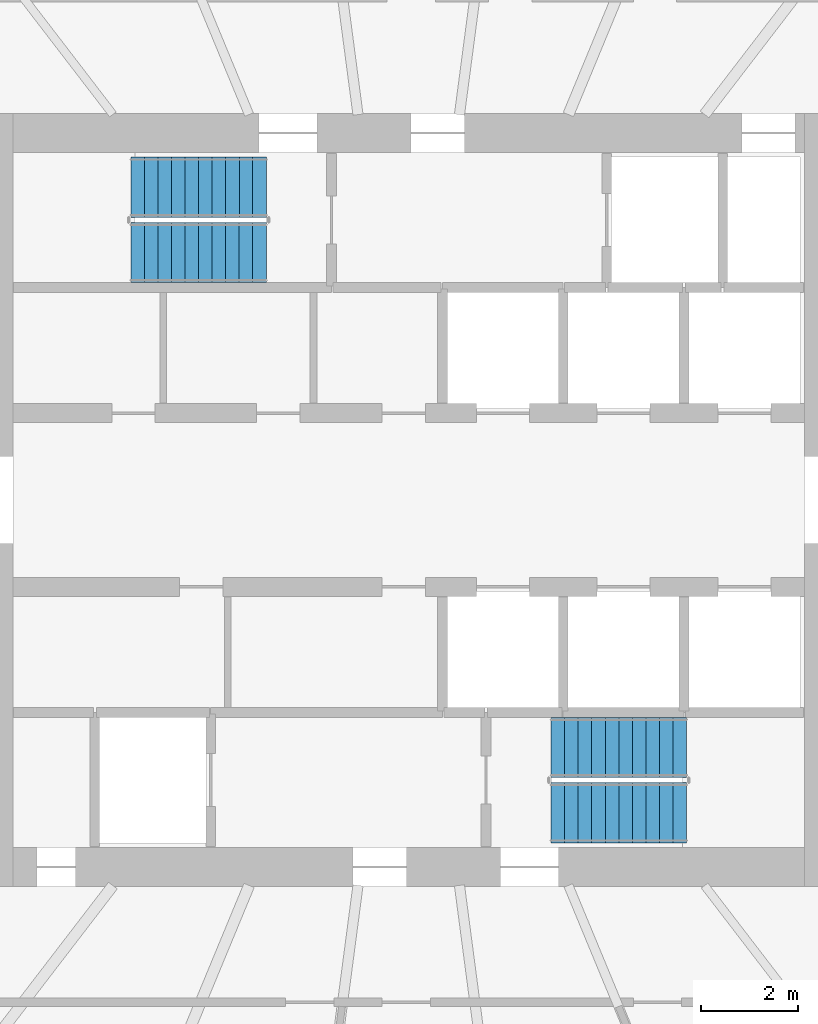
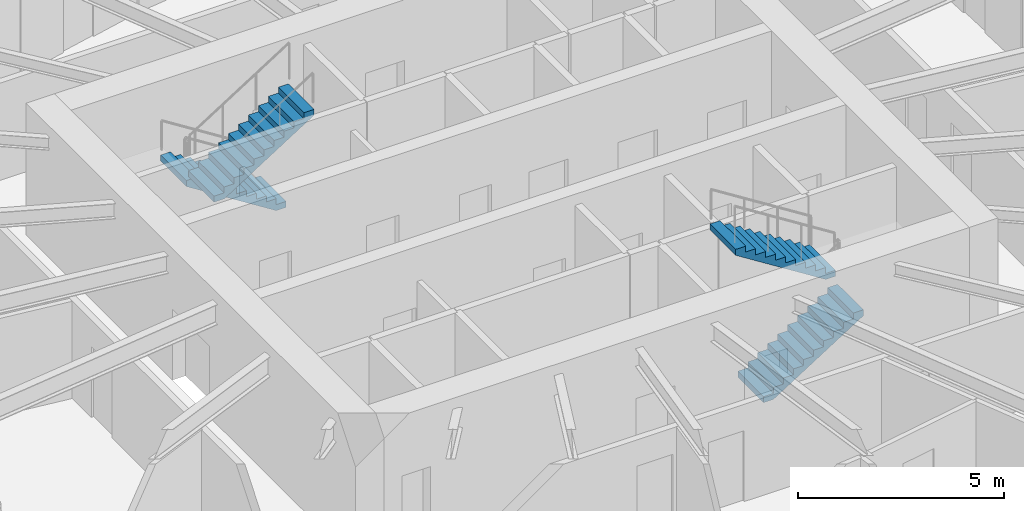
# One storey, part 12 of 15: 4 stair flights, 2 elements without a shape of their own.
"""IFC4 building model written with IfcOpenShell, lengths in metres."""

from ifc_helpers import new_model, si_unit, direction, frame, origin, place, context, subcontext, project, spatial, line, indexed_curve, outline, extrude, material, type_object, element, aggregate, save


model = new_model("IFC4")

# Units and contexts
model_context = context("Model", 3, precision=1e-05, world=origin(), true_north=direction((0.0, 1.0)))
body_context = subcontext(model_context, "Body", "Model", "MODEL_VIEW")
ifc_project = project(units=[si_unit("LENGTHUNIT", "METRE"), si_unit("AREAUNIT", "SQUARE_METRE"), si_unit("VOLUMEUNIT", "CUBIC_METRE"), si_unit("PLANEANGLEUNIT", "RADIAN"), si_unit("MASSUNIT", "GRAM", prefix="KILO")], contexts=[model_context])

# Site, building, storey
site_placement = place(None, origin())
site = spatial("IfcSite", under=ifc_project, at=site_placement, CompositionType="ELEMENT")
building_placement = place(site_placement, origin())
building = spatial("IfcBuilding", under=site, at=building_placement, Name="Spindrift Exchange Tower", CompositionType="ELEMENT")
storey_placement = place(building_placement, frame((0.0, 0.0, 168.199951171875)))
storey = spatial("IfcBuildingStorey", under=building, at=storey_placement, Name="L40", CompositionType="ELEMENT", Elevation=168.199951171875)

# Stair, stair flights
ifc_material = material(Name="Concrete 50 MPa", Category="concrete")
stair_type = type_object("IfcStairType", Name="ST-1250-R177", PredefinedType="HALF_TURN_STAIR", material=ifc_material)
stair_1_placement = place(storey_placement, origin())
stair_1 = element("IfcStair", 1, at=stair_1_placement, inside=storey, type_object=stair_type, Name="L40 Exit stair ST1", PredefinedType="HALF_TURN_STAIR")
stair_flight_type = type_object("IfcStairFlightType", Name="STF-1250-R177", PredefinedType="STRAIGHT", material=ifc_material)
stair_flight_1_placement = place(storey_placement, frame((49.050048828125, 54.47509765625, 0.0), z_axis=(0.0, 0.0, 1.0), x_axis=(-1.0, 0.0, 0.0)))
stair_flight_1 = element("IfcStairFlight", 2, at=stair_flight_1_placement, type_object=stair_flight_type, Name="ST1 flight 1", NumberOfRisers=11, NumberOfTreads=10, PredefinedType="STRAIGHT", RiserHeight=0.177272727, TreadLength=0.28, context=body_context, shape_type="SweptSolid", body=[
    extrude(outline(indexed_curve([(0.0, 0.0), (0.0, 0.177734375), (0.2802734375, 0.177734375), (0.2802734375, 0.3544921875), (0.5595703125, 0.3544921875), (0.5595703125, 0.5322265625), (0.83984375, 0.5322265625), (0.83984375, 0.708984375), (1.1201171875, 0.708984375), (1.1201171875, 0.88671875), (1.400390625, 0.88671875), (1.400390625, 1.0634765625), (1.6796875, 1.0634765625), (1.6796875, 1.2412109375), (1.9599609375, 1.2412109375), (1.9599609375, 1.41796875), (2.240234375, 1.41796875), (2.240234375, 1.595703125), (2.51953125, 1.595703125), (2.51953125, 1.7724609375), (2.7998046875, 1.7724609375), (2.7998046875, 1.9501953125), (2.7998046875, 1.595703125), (0.2802734375, 0.0)], segments=[line(1, 2, 3, 4, 5, 6, 7, 8, 9, 10, 11, 12, 13, 14, 15, 16, 17, 18, 19, 20, 21, 22, 23, 24, 1)], self_intersect=False)), frame((0.0, 0.625, 0.0), z_axis=(0.0, -1.0, 0.0), x_axis=(1.0, 0.0, 0.0)), (0.0, 0.0, 1.0), 1.25),
])
stair_flight_2_placement = place(storey_placement, frame((46.25, 53.125, 1.949951171875), z_axis=(0.0, 0.0, 1.0), x_axis=(1.0, 0.0, 0.0)))
stair_flight_2 = element("IfcStairFlight", 3, at=stair_flight_2_placement, type_object=stair_flight_type, Name="ST1 flight 2", NumberOfRisers=11, NumberOfTreads=10, PredefinedType="STRAIGHT", RiserHeight=0.177272727, TreadLength=0.28, context=body_context, shape_type="SweptSolid", body=[
    extrude(outline(indexed_curve([(0.0, 0.0), (0.0, 0.177734375), (0.2802734375, 0.177734375), (0.2802734375, 0.3544921875), (0.5595703125, 0.3544921875), (0.5595703125, 0.5322265625), (0.83984375, 0.5322265625), (0.83984375, 0.708984375), (1.1201171875, 0.708984375), (1.1201171875, 0.88671875), (1.400390625, 0.88671875), (1.400390625, 1.0634765625), (1.6796875, 1.0634765625), (1.6796875, 1.2412109375), (1.9599609375, 1.2412109375), (1.9599609375, 1.41796875), (2.240234375, 1.41796875), (2.240234375, 1.595703125), (2.51953125, 1.595703125), (2.51953125, 1.7724609375), (2.7998046875, 1.7724609375), (2.7998046875, 1.9501953125), (2.7998046875, 1.595703125), (0.2802734375, 0.0)], segments=[line(1, 2, 3, 4, 5, 6, 7, 8, 9, 10, 11, 12, 13, 14, 15, 16, 17, 18, 19, 20, 21, 22, 23, 24, 1)], self_intersect=False)), frame((0.0, 0.625, 0.0), z_axis=(0.0, -1.0, 0.0), x_axis=(1.0, 0.0, 0.0)), (0.0, 0.0, 1.0), 1.25),
])
aggregate(stair_1, [stair_flight_1, stair_flight_2])

stair_2_placement = place(storey_placement, origin())
stair_2 = element("IfcStair", 4, at=stair_2_placement, inside=storey, type_object=stair_type, Name="L40 Exit stair ST2", PredefinedType="HALF_TURN_STAIR")
stair_flight_3_placement = place(storey_placement, frame((54.949951171875, 41.52490234375, 0.0), z_axis=(0.0, 0.0, 1.0), x_axis=(1.0, 0.0, 0.0)))
stair_flight_3 = element("IfcStairFlight", 5, at=stair_flight_3_placement, type_object=stair_flight_type, Name="ST2 flight 1", NumberOfRisers=11, NumberOfTreads=10, PredefinedType="STRAIGHT", RiserHeight=0.177272727, TreadLength=0.28, context=body_context, shape_type="SweptSolid", body=[
    extrude(outline(indexed_curve([(0.0, 0.0), (0.0, 0.177734375), (0.2802734375, 0.177734375), (0.2802734375, 0.3544921875), (0.5595703125, 0.3544921875), (0.5595703125, 0.5322265625), (0.83984375, 0.5322265625), (0.83984375, 0.708984375), (1.1201171875, 0.708984375), (1.1201171875, 0.88671875), (1.400390625, 0.88671875), (1.400390625, 1.0634765625), (1.6796875, 1.0634765625), (1.6796875, 1.2412109375), (1.9599609375, 1.2412109375), (1.9599609375, 1.41796875), (2.240234375, 1.41796875), (2.240234375, 1.595703125), (2.51953125, 1.595703125), (2.51953125, 1.7724609375), (2.7998046875, 1.7724609375), (2.7998046875, 1.9501953125), (2.7998046875, 1.595703125), (0.2802734375, 0.0)], segments=[line(1, 2, 3, 4, 5, 6, 7, 8, 9, 10, 11, 12, 13, 14, 15, 16, 17, 18, 19, 20, 21, 22, 23, 24, 1)], self_intersect=False)), frame((0.0, 0.625, 0.0), z_axis=(0.0, -1.0, 0.0), x_axis=(1.0, 0.0, 0.0)), (0.0, 0.0, 1.0), 1.25),
])
stair_flight_4_placement = place(storey_placement, frame((57.75, 42.875, 1.949951171875), z_axis=(0.0, 0.0, 1.0), x_axis=(-1.0, 0.0, 0.0)))
stair_flight_4 = element("IfcStairFlight", 6, at=stair_flight_4_placement, type_object=stair_flight_type, Name="ST2 flight 2", NumberOfRisers=11, NumberOfTreads=10, PredefinedType="STRAIGHT", RiserHeight=0.177272727, TreadLength=0.28, context=body_context, shape_type="SweptSolid", body=[
    extrude(outline(indexed_curve([(0.0, 0.0), (0.0, 0.177734375), (0.2802734375, 0.177734375), (0.2802734375, 0.3544921875), (0.5595703125, 0.3544921875), (0.5595703125, 0.5322265625), (0.83984375, 0.5322265625), (0.83984375, 0.708984375), (1.1201171875, 0.708984375), (1.1201171875, 0.88671875), (1.400390625, 0.88671875), (1.400390625, 1.0634765625), (1.6796875, 1.0634765625), (1.6796875, 1.2412109375), (1.9599609375, 1.2412109375), (1.9599609375, 1.41796875), (2.240234375, 1.41796875), (2.240234375, 1.595703125), (2.51953125, 1.595703125), (2.51953125, 1.7724609375), (2.7998046875, 1.7724609375), (2.7998046875, 1.9501953125), (2.7998046875, 1.595703125), (0.2802734375, 0.0)], segments=[line(1, 2, 3, 4, 5, 6, 7, 8, 9, 10, 11, 12, 13, 14, 15, 16, 17, 18, 19, 20, 21, 22, 23, 24, 1)], self_intersect=False)), frame((0.0, 0.625, 0.0), z_axis=(0.0, -1.0, 0.0), x_axis=(1.0, 0.0, 0.0)), (0.0, 0.0, 1.0), 1.25),
])
aggregate(stair_2, [stair_flight_3, stair_flight_4])

save(model, "model.ifc")
